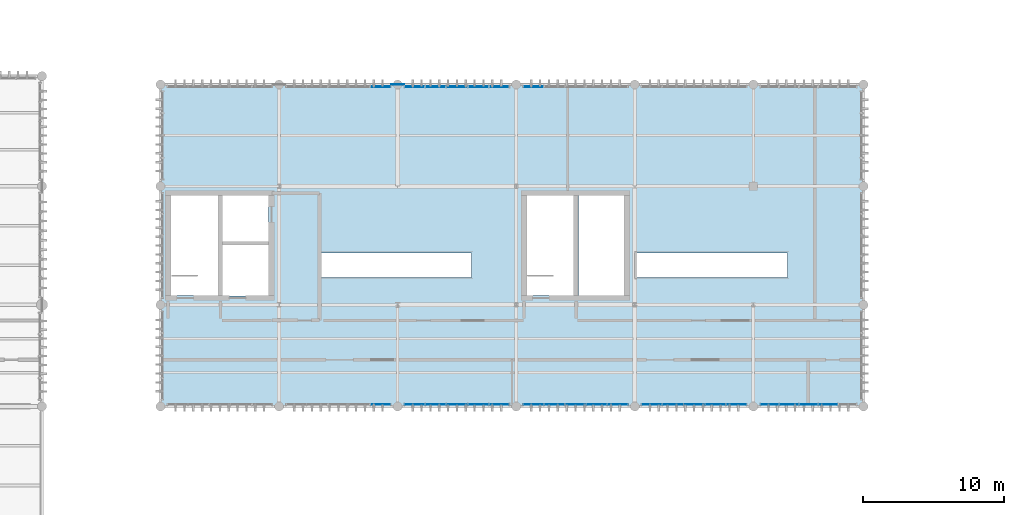
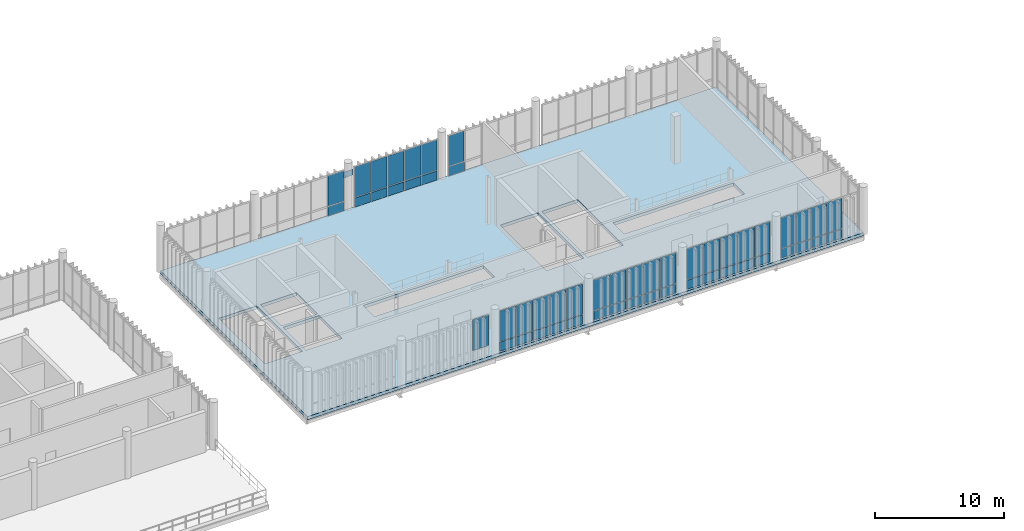
# One storey, part 52 of 66: 54 plates, 1 slab, 8 elements without a shape of their own.
"""IFC4 building model written with IfcOpenShell, lengths in metres."""

from ifc_helpers import new_model, si_unit, direction, frame, frame_2d, origin_with_axes, origin_2d_with_axis, place, context, subcontext, project, spatial, polyline, rectangle, outline, extrude, material, layer, layer_set, type_object, element, aggregate, save


model = new_model("IFC4")

# Units and contexts
model_context = context("Model", 3, precision=1e-05, world=origin_with_axes(), true_north=direction((0.0, 1.0)))
body_context = subcontext(model_context, "Body", "Model", "MODEL_VIEW")
ifc_project = project(units=[si_unit("LENGTHUNIT", "METRE"), si_unit("AREAUNIT", "SQUARE_METRE"), si_unit("VOLUMEUNIT", "CUBIC_METRE"), si_unit("PLANEANGLEUNIT", "RADIAN"), si_unit("MASSUNIT", "GRAM", prefix="KILO"), si_unit("THERMODYNAMICTEMPERATUREUNIT", "KELVIN")], contexts=[model_context])

# Site, building, storey
site_placement = place(None, origin_with_axes())
site = spatial("IfcSite", under=ifc_project, at=site_placement, CompositionType="ELEMENT")
building_placement = place(site_placement, origin_with_axes())
building = spatial("IfcBuilding", under=site, at=building_placement, Name="Montbau Bow Law Courts", CompositionType="ELEMENT")
storey_placement = place(building_placement, frame((0.0, 0.0, 34.5), z_axis=(0.0, 0.0, 1.0), x_axis=(1.0, 0.0, 0.0)))
storey = spatial("IfcBuildingStorey", under=building, at=storey_placement, Name="L07", CompositionType="ELEMENT", Elevation=34.5)

# Curtain wall, plate
ifc_material_1 = material(Name="Thermally Broken Extruded Aluminium AA 6063-T6", Category="aluminium")
curtain_wall_type = type_object("IfcCurtainWallType", Name="CW-CRM-02", PredefinedType="NOTDEFINED", material=ifc_material_1)
curtain_wall_1_placement = place(None, frame((64.04, 39.14, 34.5), z_axis=(0.0, 0.0, 1.0), x_axis=(1.0, 0.0, 0.0)))
curtain_wall_1 = element("IfcCurtainWall", 1, at=curtain_wall_1_placement, inside=storey, type_object=curtain_wall_type, Name="CW-L07-242:cw_0242", PredefinedType="NOTDEFINED")
ifc_material_2 = material(Name="Triple-Glazed Low-E Argon Insulating Glass Unit", Category="glass")
ifc_layer_1 = layer(ifc_material_2, 0.044, Name="Curtain Panel", Category="glass")
ifc_layer_set_1 = layer_set([ifc_layer_1], Name="Triple-Glazed Low-E Argon Insulating Glass Unit")
plate_type_1 = type_object("IfcPlateType", Name="PL-CWP-01", PredefinedType="CURTAIN_PANEL", material=ifc_layer_set_1)
plate_1_placement = place(None, frame((70.088, 39.14, 35.482), z_axis=(0.0, -1.0, 0.0), x_axis=(1.0, 0.0, 0.0)))
plate_1 = element("IfcPlate", 2, at=plate_1_placement, type_object=plate_type_1, Name="CW-L07-242-P05-2:cw_0242_P05_2", PredefinedType="CURTAIN_PANEL", context=body_context, shape_type="SweptSolid", body=[
    extrude(rectangle(XDim=1.41, YDim=2.876, at=frame_2d((0.705, 1.438), x_axis=(1.0, 0.0))), frame((0.0, 0.0, -0.022), z_axis=(0.0, 0.0, 1.0), x_axis=(1.0, 0.0, 0.0)), (0.0, 0.0, 1.0), 0.044),
])
aggregate(curtain_wall_1, [plate_1])

# Curtain wall, plates
curtain_wall_2_placement = place(None, frame((72.44, 39.14, 34.5), z_axis=(0.0, 0.0, 1.0), x_axis=(1.0, 0.0, 0.0)))
curtain_wall_2 = element("IfcCurtainWall", 3, at=curtain_wall_2_placement, inside=storey, type_object=curtain_wall_type, Name="CW-L07-243:cw_0243", PredefinedType="NOTDEFINED")
plate_2_placement = place(None, frame((72.516, 39.14, 35.48), z_axis=(0.0, -1.0, 0.0), x_axis=(1.0, 0.0, 0.0)))
plate_2 = element("IfcPlate", 4, at=plate_2_placement, type_object=plate_type_1, Name="CW-L07-243-P01-2:cw_0243_P01_2", PredefinedType="CURTAIN_PANEL", context=body_context, shape_type="SweptSolid", body=[
    extrude(rectangle(XDim=1.388, YDim=2.882, at=frame_2d((0.694, 1.441), x_axis=(1.0, 0.0))), frame((0.0, 0.0, -0.022), z_axis=(0.0, 0.0, 1.0), x_axis=(1.0, 0.0, 0.0)), (0.0, 0.0, 1.0), 0.044),
])
plate_3_placement = place(None, frame((73.984, 39.14, 35.48), z_axis=(0.0, -1.0, 0.0), x_axis=(1.0, 0.0, 0.0)))
plate_3 = element("IfcPlate", 5, at=plate_3_placement, type_object=plate_type_1, Name="CW-L07-243-P02-2:cw_0243_P02_2", PredefinedType="CURTAIN_PANEL", context=body_context, shape_type="SweptSolid", body=[
    extrude(rectangle(XDim=1.425, YDim=2.882, at=frame_2d((0.7125, 1.441), x_axis=(1.0, 0.0))), frame((0.0, 0.0, -0.022), z_axis=(0.0, 0.0, 1.0), x_axis=(1.0, 0.0, 0.0)), (0.0, 0.0, 1.0), 0.044),
])
plate_4_placement = place(None, frame((75.487, 39.14, 35.48), z_axis=(0.0, -1.0, 0.0), x_axis=(1.0, 0.0, 0.0)))
plate_4 = element("IfcPlate", 6, at=plate_4_placement, type_object=plate_type_1, Name="CW-L07-243-P03-2:cw_0243_P03_2", PredefinedType="CURTAIN_PANEL", context=body_context, shape_type="SweptSolid", body=[
    extrude(rectangle(XDim=1.426, YDim=2.882, at=frame_2d((0.713, 1.441), x_axis=(1.0, 0.0))), frame((0.0, 0.0, -0.022), z_axis=(0.0, 0.0, 1.0), x_axis=(1.0, 0.0, 0.0)), (0.0, 0.0, 1.0), 0.044),
])
plate_5_placement = place(None, frame((76.991, 39.14, 35.48), z_axis=(0.0, -1.0, 0.0), x_axis=(1.0, 0.0, 0.0)))
plate_5 = element("IfcPlate", 7, at=plate_5_placement, type_object=plate_type_1, Name="CW-L07-243-P04-2:cw_0243_P04_2", PredefinedType="CURTAIN_PANEL", context=body_context, shape_type="SweptSolid", body=[
    extrude(rectangle(XDim=1.426, YDim=2.882, at=frame_2d((0.713, 1.441), x_axis=(1.0, 0.0))), frame((0.0, 0.0, -0.022), z_axis=(0.0, 0.0, 1.0), x_axis=(1.0, 0.0, 0.0)), (0.0, 0.0, 1.0), 0.044),
])
plate_6_placement = place(None, frame((78.495, 39.14, 35.48), z_axis=(0.0, -1.0, 0.0), x_axis=(1.0, 0.0, 0.0)))
plate_6 = element("IfcPlate", 8, at=plate_6_placement, type_object=plate_type_1, Name="CW-L07-243-P05-2:cw_0243_P05_2", PredefinedType="CURTAIN_PANEL", context=body_context, shape_type="SweptSolid", body=[
    extrude(rectangle(XDim=1.388, YDim=2.882, at=frame_2d((0.694, 1.441), x_axis=(1.0, 0.0))), frame((0.0, 0.0, -0.022), z_axis=(0.0, 0.0, 1.0), x_axis=(1.0, 0.0, 0.0)), (0.0, 0.0, 1.0), 0.044),
])

curtain_wall_3_placement = place(None, frame((80.84, 39.14, 34.5), z_axis=(0.0, 0.0, 1.0), x_axis=(1.0, 0.0, 0.0)))
curtain_wall_3 = element("IfcCurtainWall", 9, at=curtain_wall_3_placement, inside=storey, type_object=curtain_wall_type, Name="CW-L07-244:cw_0244", PredefinedType="NOTDEFINED")
plate_7_placement = place(None, frame((80.908, 39.14, 35.482), z_axis=(0.0, -1.0, 0.0), x_axis=(1.0, 0.0, 0.0)))
plate_7 = element("IfcPlate", 10, at=plate_7_placement, type_object=plate_type_1, Name="CW-L07-244-P01-2:cw_0244_P01_2", PredefinedType="CURTAIN_PANEL", context=body_context, shape_type="SweptSolid", body=[
    extrude(rectangle(XDim=1.402, YDim=2.876, at=frame_2d((0.701, 1.438), x_axis=(1.0, 0.0))), frame((0.0, 0.0, -0.022), z_axis=(0.0, 0.0, 1.0), x_axis=(1.0, 0.0, 0.0)), (0.0, 0.0, 1.0), 0.044),
])
plate_8_placement = place(None, frame((82.378, 39.14, 35.482), z_axis=(0.0, -1.0, 0.0), x_axis=(1.0, 0.0, 0.0)))
plate_8 = element("IfcPlate", 11, at=plate_8_placement, type_object=plate_type_1, Name="CW-L07-244-P02-2:cw_0244_P02_2", PredefinedType="CURTAIN_PANEL", context=body_context, shape_type="SweptSolid", body=[
    extrude(rectangle(XDim=1.436, YDim=2.876, at=frame_2d((0.718, 1.438), x_axis=(1.0, 0.0))), frame((0.0, 0.0, -0.022), z_axis=(0.0, 0.0, 1.0), x_axis=(1.0, 0.0, 0.0)), (0.0, 0.0, 1.0), 0.044),
])
plate_9_placement = place(None, frame((83.882, 39.14, 35.482), z_axis=(0.0, -1.0, 0.0), x_axis=(1.0, 0.0, 0.0)))
plate_9 = element("IfcPlate", 12, at=plate_9_placement, type_object=plate_type_1, Name="CW-L07-244-P03-2:cw_0244_P03_2", PredefinedType="CURTAIN_PANEL", context=body_context, shape_type="SweptSolid", body=[
    extrude(rectangle(XDim=1.436, YDim=2.876, at=frame_2d((0.718, 1.438), x_axis=(1.0, 0.0))), frame((0.0, 0.0, -0.022), z_axis=(0.0, 0.0, 1.0), x_axis=(1.0, 0.0, 0.0)), (0.0, 0.0, 1.0), 0.044),
])
plate_10_placement = place(None, frame((85.386, 39.14, 35.482), z_axis=(0.0, -1.0, 0.0), x_axis=(1.0, 0.0, 0.0)))
plate_10 = element("IfcPlate", 13, at=plate_10_placement, type_object=plate_type_1, Name="CW-L07-244-P04-2:cw_0244_P04_2", PredefinedType="CURTAIN_PANEL", context=body_context, shape_type="SweptSolid", body=[
    extrude(rectangle(XDim=1.436, YDim=2.876, at=frame_2d((0.718, 1.438), x_axis=(1.0, 0.0))), frame((0.0, 0.0, -0.022), z_axis=(0.0, 0.0, 1.0), x_axis=(1.0, 0.0, 0.0)), (0.0, 0.0, 1.0), 0.044),
])
plate_11_placement = place(None, frame((86.89, 39.14, 35.482), z_axis=(0.0, -1.0, 0.0), x_axis=(1.0, 0.0, 0.0)))
plate_11 = element("IfcPlate", 14, at=plate_11_placement, type_object=plate_type_1, Name="CW-L07-244-P05-2:cw_0244_P05_2", PredefinedType="CURTAIN_PANEL", context=body_context, shape_type="SweptSolid", body=[
    extrude(rectangle(XDim=1.403, YDim=2.876, at=frame_2d((0.7015, 1.438), x_axis=(1.0, 0.0))), frame((0.0, 0.0, -0.022), z_axis=(0.0, 0.0, 1.0), x_axis=(1.0, 0.0, 0.0)), (0.0, 0.0, 1.0), 0.044),
])

curtain_wall_4_placement = place(None, frame((89.24, 39.14, 34.5), z_axis=(0.0, 0.0, 1.0), x_axis=(1.0, 0.0, 0.0)))
curtain_wall_4 = element("IfcCurtainWall", 15, at=curtain_wall_4_placement, inside=storey, type_object=curtain_wall_type, Name="CW-L07-245:cw_0245", PredefinedType="NOTDEFINED")
plate_12_placement = place(None, frame((89.302, 39.14, 35.48), z_axis=(0.0, -1.0, 0.0), x_axis=(1.0, 0.0, 0.0)))
plate_12 = element("IfcPlate", 16, at=plate_12_placement, type_object=plate_type_1, Name="CW-L07-245-P01-2:cw_0245_P01_2", PredefinedType="CURTAIN_PANEL", context=body_context, shape_type="SweptSolid", body=[
    extrude(rectangle(XDim=1.41, YDim=2.882, at=frame_2d((0.705, 1.441), x_axis=(1.0, 0.0))), frame((0.0, 0.0, -0.022), z_axis=(0.0, 0.0, 1.0), x_axis=(1.0, 0.0, 0.0)), (0.0, 0.0, 1.0), 0.044),
])
plate_13_placement = place(None, frame((90.776, 39.14, 35.48), z_axis=(0.0, -1.0, 0.0), x_axis=(1.0, 0.0, 0.0)))
plate_13 = element("IfcPlate", 17, at=plate_13_placement, type_object=plate_type_1, Name="CW-L07-245-P02-2:cw_0245_P02_2", PredefinedType="CURTAIN_PANEL", context=body_context, shape_type="SweptSolid", body=[
    extrude(rectangle(XDim=1.44, YDim=2.882, at=frame_2d((0.72, 1.441), x_axis=(1.0, 0.0))), frame((0.0, 0.0, -0.022), z_axis=(0.0, 0.0, 1.0), x_axis=(1.0, 0.0, 0.0)), (0.0, 0.0, 1.0), 0.044),
])
plate_14_placement = place(None, frame((92.28, 39.14, 35.48), z_axis=(0.0, -1.0, 0.0), x_axis=(1.0, 0.0, 0.0)))
plate_14 = element("IfcPlate", 18, at=plate_14_placement, type_object=plate_type_1, Name="CW-L07-245-P03-2:cw_0245_P03_2", PredefinedType="CURTAIN_PANEL", context=body_context, shape_type="SweptSolid", body=[
    extrude(rectangle(XDim=1.44, YDim=2.882, at=frame_2d((0.72, 1.441), x_axis=(1.0, 0.0))), frame((0.0, 0.0, -0.022), z_axis=(0.0, 0.0, 1.0), x_axis=(1.0, 0.0, 0.0)), (0.0, 0.0, 1.0), 0.044),
])
plate_15_placement = place(None, frame((93.784, 39.14, 35.48), z_axis=(0.0, -1.0, 0.0), x_axis=(1.0, 0.0, 0.0)))
plate_15 = element("IfcPlate", 19, at=plate_15_placement, type_object=plate_type_1, Name="CW-L07-245-P04-2:cw_0245_P04_2", PredefinedType="CURTAIN_PANEL", context=body_context, shape_type="SweptSolid", body=[
    extrude(rectangle(XDim=1.44, YDim=2.882, at=frame_2d((0.72, 1.441), x_axis=(1.0, 0.0))), frame((0.0, 0.0, -0.022), z_axis=(0.0, 0.0, 1.0), x_axis=(1.0, 0.0, 0.0)), (0.0, 0.0, 1.0), 0.044),
])
plate_16_placement = place(None, frame((95.288, 39.14, 35.48), z_axis=(0.0, -1.0, 0.0), x_axis=(1.0, 0.0, 0.0)))
plate_16 = element("IfcPlate", 20, at=plate_16_placement, type_object=plate_type_1, Name="CW-L07-245-P05-2:cw_0245_P05_2", PredefinedType="CURTAIN_PANEL", context=body_context, shape_type="SweptSolid", body=[
    extrude(rectangle(XDim=1.41, YDim=2.882, at=frame_2d((0.705, 1.441), x_axis=(1.0, 0.0))), frame((0.0, 0.0, -0.022), z_axis=(0.0, 0.0, 1.0), x_axis=(1.0, 0.0, 0.0)), (0.0, 0.0, 1.0), 0.044),
])

curtain_wall_5_placement = place(None, frame((97.64, 39.14, 34.5), z_axis=(0.0, 0.0, 1.0), x_axis=(1.0, 0.0, 0.0)))
curtain_wall_5 = element("IfcCurtainWall", 21, at=curtain_wall_5_placement, inside=storey, type_object=curtain_wall_type, Name="CW-L07-246:cw_0246", PredefinedType="NOTDEFINED")
plate_17_placement = place(None, frame((97.716, 39.14, 35.482), z_axis=(0.0, -1.0, 0.0), x_axis=(1.0, 0.0, 0.0)))
plate_17 = element("IfcPlate", 22, at=plate_17_placement, type_object=plate_type_1, Name="CW-L07-246-P01-2:cw_0246_P01_2", PredefinedType="CURTAIN_PANEL", context=body_context, shape_type="SweptSolid", body=[
    extrude(rectangle(XDim=1.268, YDim=2.876, at=frame_2d((0.634, 1.438), x_axis=(1.0, 0.0))), frame((0.0, 0.0, -0.022), z_axis=(0.0, 0.0, 1.0), x_axis=(1.0, 0.0, 0.0)), (0.0, 0.0, 1.0), 0.044),
])
plate_18_placement = place(None, frame((99.063, 39.14, 35.482), z_axis=(0.0, -1.0, 0.0), x_axis=(1.0, 0.0, 0.0)))
plate_18 = element("IfcPlate", 23, at=plate_18_placement, type_object=plate_type_1, Name="CW-L07-246-P02-2:cw_0246_P02_2", PredefinedType="CURTAIN_PANEL", context=body_context, shape_type="SweptSolid", body=[
    extrude(rectangle(XDim=1.305, YDim=2.876, at=frame_2d((0.6525, 1.438), x_axis=(1.0, 0.0))), frame((0.0, 0.0, -0.022), z_axis=(0.0, 0.0, 1.0), x_axis=(1.0, 0.0, 0.0)), (0.0, 0.0, 1.0), 0.044),
])
plate_19_placement = place(None, frame((100.447, 39.14, 35.482), z_axis=(0.0, -1.0, 0.0), x_axis=(1.0, 0.0, 0.0)))
plate_19 = element("IfcPlate", 24, at=plate_19_placement, type_object=plate_type_1, Name="CW-L07-246-P03-2:cw_0246_P03_2", PredefinedType="CURTAIN_PANEL", context=body_context, shape_type="SweptSolid", body=[
    extrude(rectangle(XDim=1.306, YDim=2.876, at=frame_2d((0.653, 1.438), x_axis=(1.0, 0.0))), frame((0.0, 0.0, -0.022), z_axis=(0.0, 0.0, 1.0), x_axis=(1.0, 0.0, 0.0)), (0.0, 0.0, 1.0), 0.044),
])
plate_20_placement = place(None, frame((101.831, 39.14, 35.482), z_axis=(0.0, -1.0, 0.0), x_axis=(1.0, 0.0, 0.0)))
plate_20 = element("IfcPlate", 25, at=plate_20_placement, type_object=plate_type_1, Name="CW-L07-246-P04-2:cw_0246_P04_2", PredefinedType="CURTAIN_PANEL", context=body_context, shape_type="SweptSolid", body=[
    extrude(rectangle(XDim=1.306, YDim=2.876, at=frame_2d((0.653, 1.438), x_axis=(1.0, 0.0))), frame((0.0, 0.0, -0.022), z_axis=(0.0, 0.0, 1.0), x_axis=(1.0, 0.0, 0.0)), (0.0, 0.0, 1.0), 0.044),
])

# Curtain wall, plate
curtain_wall_6_placement = place(None, frame((64.04, 61.66, 34.5), z_axis=(0.0, 0.0, 1.0), x_axis=(1.0, 0.0, 0.0)))
curtain_wall_6 = element("IfcCurtainWall", 26, at=curtain_wall_6_placement, inside=storey, type_object=curtain_wall_type, Name="CW-L07-248:cw_0248", PredefinedType="NOTDEFINED")
plate_21_placement = place(None, frame((70.088, 61.66, 35.482), z_axis=(0.0, -1.0, 0.0), x_axis=(1.0, 0.0, 0.0)))
plate_21 = element("IfcPlate", 27, at=plate_21_placement, type_object=plate_type_1, Name="CW-L07-248-P05-2:cw_0248_P05_2", PredefinedType="CURTAIN_PANEL", context=body_context, shape_type="SweptSolid", body=[
    extrude(rectangle(XDim=1.41, YDim=2.876, at=frame_2d((0.705, 1.438), x_axis=(1.0, 0.0))), frame((0.0, 0.0, -0.022), z_axis=(0.0, 0.0, 1.0), x_axis=(1.0, 0.0, 0.0)), (0.0, 0.0, 1.0), 0.044),
])

# Curtain wall, plates
curtain_wall_7_placement = place(None, frame((72.44, 61.66, 34.5), z_axis=(0.0, 0.0, 1.0), x_axis=(1.0, 0.0, 0.0)))
curtain_wall_7 = element("IfcCurtainWall", 28, at=curtain_wall_7_placement, inside=storey, type_object=curtain_wall_type, Name="CW-L07-249:cw_0249", PredefinedType="NOTDEFINED")
plate_22_placement = place(None, frame((72.516, 61.66, 35.48), z_axis=(0.0, -1.0, 0.0), x_axis=(1.0, 0.0, 0.0)))
plate_22 = element("IfcPlate", 29, at=plate_22_placement, type_object=plate_type_1, Name="CW-L07-249-P01-2:cw_0249_P01_2", PredefinedType="CURTAIN_PANEL", context=body_context, shape_type="SweptSolid", body=[
    extrude(rectangle(XDim=1.388, YDim=2.882, at=frame_2d((0.694, 1.441), x_axis=(1.0, 0.0))), frame((0.0, 0.0, -0.022), z_axis=(0.0, 0.0, 1.0), x_axis=(1.0, 0.0, 0.0)), (0.0, 0.0, 1.0), 0.044),
])
plate_23_placement = place(None, frame((73.984, 61.66, 35.48), z_axis=(0.0, -1.0, 0.0), x_axis=(1.0, 0.0, 0.0)))
plate_23 = element("IfcPlate", 30, at=plate_23_placement, type_object=plate_type_1, Name="CW-L07-249-P02-2:cw_0249_P02_2", PredefinedType="CURTAIN_PANEL", context=body_context, shape_type="SweptSolid", body=[
    extrude(rectangle(XDim=1.425, YDim=2.882, at=frame_2d((0.7125, 1.441), x_axis=(1.0, 0.0))), frame((0.0, 0.0, -0.022), z_axis=(0.0, 0.0, 1.0), x_axis=(1.0, 0.0, 0.0)), (0.0, 0.0, 1.0), 0.044),
])
plate_24_placement = place(None, frame((75.487, 61.66, 35.48), z_axis=(0.0, -1.0, 0.0), x_axis=(1.0, 0.0, 0.0)))
plate_24 = element("IfcPlate", 31, at=plate_24_placement, type_object=plate_type_1, Name="CW-L07-249-P03-2:cw_0249_P03_2", PredefinedType="CURTAIN_PANEL", context=body_context, shape_type="SweptSolid", body=[
    extrude(rectangle(XDim=1.426, YDim=2.882, at=frame_2d((0.713, 1.441), x_axis=(1.0, 0.0))), frame((0.0, 0.0, -0.022), z_axis=(0.0, 0.0, 1.0), x_axis=(1.0, 0.0, 0.0)), (0.0, 0.0, 1.0), 0.044),
])
plate_25_placement = place(None, frame((76.991, 61.66, 35.48), z_axis=(0.0, -1.0, 0.0), x_axis=(1.0, 0.0, 0.0)))
plate_25 = element("IfcPlate", 32, at=plate_25_placement, type_object=plate_type_1, Name="CW-L07-249-P04-2:cw_0249_P04_2", PredefinedType="CURTAIN_PANEL", context=body_context, shape_type="SweptSolid", body=[
    extrude(rectangle(XDim=1.426, YDim=2.882, at=frame_2d((0.713, 1.441), x_axis=(1.0, 0.0))), frame((0.0, 0.0, -0.022), z_axis=(0.0, 0.0, 1.0), x_axis=(1.0, 0.0, 0.0)), (0.0, 0.0, 1.0), 0.044),
])
plate_26_placement = place(None, frame((78.495, 61.66, 35.48), z_axis=(0.0, -1.0, 0.0), x_axis=(1.0, 0.0, 0.0)))
plate_26 = element("IfcPlate", 33, at=plate_26_placement, type_object=plate_type_1, Name="CW-L07-249-P05-2:cw_0249_P05_2", PredefinedType="CURTAIN_PANEL", context=body_context, shape_type="SweptSolid", body=[
    extrude(rectangle(XDim=1.388, YDim=2.882, at=frame_2d((0.694, 1.441), x_axis=(1.0, 0.0))), frame((0.0, 0.0, -0.022), z_axis=(0.0, 0.0, 1.0), x_axis=(1.0, 0.0, 0.0)), (0.0, 0.0, 1.0), 0.044),
])

# Curtain wall, plate
curtain_wall_8_placement = place(None, frame((80.84, 61.66, 34.5), z_axis=(0.0, 0.0, 1.0), x_axis=(1.0, 0.0, 0.0)))
curtain_wall_8 = element("IfcCurtainWall", 34, at=curtain_wall_8_placement, inside=storey, type_object=curtain_wall_type, Name="CW-L07-250:cw_0250", PredefinedType="NOTDEFINED")
plate_27_placement = place(None, frame((80.908, 61.66, 35.482), z_axis=(0.0, -1.0, 0.0), x_axis=(1.0, 0.0, 0.0)))
plate_27 = element("IfcPlate", 35, at=plate_27_placement, type_object=plate_type_1, Name="CW-L07-250-P01-2:cw_0250_P01_2", PredefinedType="CURTAIN_PANEL", context=body_context, shape_type="SweptSolid", body=[
    extrude(rectangle(XDim=1.402, YDim=2.876, at=frame_2d((0.701, 1.438), x_axis=(1.0, 0.0))), frame((0.0, 0.0, -0.022), z_axis=(0.0, 0.0, 1.0), x_axis=(1.0, 0.0, 0.0)), (0.0, 0.0, 1.0), 0.044),
])

# Plate
ifc_material_3 = material(Name="Insulated Ceramic-Frit Spandrel Glazing Unit", Category="glass")
ifc_layer_2 = layer(ifc_material_3, 0.056, Name="Curtain Panel", Category="glass")
ifc_layer_set_2 = layer_set([ifc_layer_2], Name="Insulated Ceramic-Frit Spandrel Glazing Unit")
plate_type_2 = type_object("IfcPlateType", Name="PL-CWP-02", PredefinedType="CURTAIN_PANEL", material=ifc_layer_set_2)
plate_28_placement = place(None, frame((72.516, 39.14, 34.558), z_axis=(0.0, -1.0, 0.0), x_axis=(1.0, 0.0, 0.0)))
plate_28 = element("IfcPlate", 36, at=plate_28_placement, type_object=plate_type_2, Name="CW-L07-243-P01-1:cw_0243_P01_1", PredefinedType="CURTAIN_PANEL", context=body_context, shape_type="SweptSolid", body=[
    extrude(rectangle(XDim=1.388, YDim=0.862, at=frame_2d((0.694, 0.431), x_axis=(1.0, 0.0))), frame((0.0, 0.0, -0.028), z_axis=(0.0, 0.0, 1.0), x_axis=(1.0, 0.0, 0.0)), (0.0, 0.0, 1.0), 0.056),
])

plate_29_placement = place(None, frame((73.984, 39.14, 34.558), z_axis=(0.0, -1.0, 0.0), x_axis=(1.0, 0.0, 0.0)))
plate_29 = element("IfcPlate", 37, at=plate_29_placement, type_object=plate_type_2, Name="CW-L07-243-P02-1:cw_0243_P02_1", PredefinedType="CURTAIN_PANEL", context=body_context, shape_type="SweptSolid", body=[
    extrude(rectangle(XDim=1.425, YDim=0.862, at=frame_2d((0.7125, 0.431), x_axis=(1.0, 0.0))), frame((0.0, 0.0, -0.028), z_axis=(0.0, 0.0, 1.0), x_axis=(1.0, 0.0, 0.0)), (0.0, 0.0, 1.0), 0.056),
])

plate_30_placement = place(None, frame((75.487, 39.14, 34.558), z_axis=(0.0, -1.0, 0.0), x_axis=(1.0, 0.0, 0.0)))
plate_30 = element("IfcPlate", 38, at=plate_30_placement, type_object=plate_type_2, Name="CW-L07-243-P03-1:cw_0243_P03_1", PredefinedType="CURTAIN_PANEL", context=body_context, shape_type="SweptSolid", body=[
    extrude(rectangle(XDim=1.426, YDim=0.862, at=frame_2d((0.713, 0.431), x_axis=(1.0, 0.0))), frame((0.0, 0.0, -0.028), z_axis=(0.0, 0.0, 1.0), x_axis=(1.0, 0.0, 0.0)), (0.0, 0.0, 1.0), 0.056),
])

plate_31_placement = place(None, frame((76.991, 39.14, 34.558), z_axis=(0.0, -1.0, 0.0), x_axis=(1.0, 0.0, 0.0)))
plate_31 = element("IfcPlate", 39, at=plate_31_placement, type_object=plate_type_2, Name="CW-L07-243-P04-1:cw_0243_P04_1", PredefinedType="CURTAIN_PANEL", context=body_context, shape_type="SweptSolid", body=[
    extrude(rectangle(XDim=1.426, YDim=0.862, at=frame_2d((0.713, 0.431), x_axis=(1.0, 0.0))), frame((0.0, 0.0, -0.028), z_axis=(0.0, 0.0, 1.0), x_axis=(1.0, 0.0, 0.0)), (0.0, 0.0, 1.0), 0.056),
])

plate_32_placement = place(None, frame((78.495, 39.14, 34.558), z_axis=(0.0, -1.0, 0.0), x_axis=(1.0, 0.0, 0.0)))
plate_32 = element("IfcPlate", 40, at=plate_32_placement, type_object=plate_type_2, Name="CW-L07-243-P05-1:cw_0243_P05_1", PredefinedType="CURTAIN_PANEL", context=body_context, shape_type="SweptSolid", body=[
    extrude(rectangle(XDim=1.388, YDim=0.862, at=frame_2d((0.694, 0.431), x_axis=(1.0, 0.0))), frame((0.0, 0.0, -0.028), z_axis=(0.0, 0.0, 1.0), x_axis=(1.0, 0.0, 0.0)), (0.0, 0.0, 1.0), 0.056),
])

aggregate(curtain_wall_2, [plate_28, plate_2, plate_29, plate_3, plate_30, plate_4, plate_31, plate_5, plate_32, plate_6])

plate_33_placement = place(None, frame((80.908, 39.14, 34.562), z_axis=(0.0, -1.0, 0.0), x_axis=(1.0, 0.0, 0.0)))
plate_33 = element("IfcPlate", 41, at=plate_33_placement, type_object=plate_type_2, Name="CW-L07-244-P01-1:cw_0244_P01_1", PredefinedType="CURTAIN_PANEL", context=body_context, shape_type="SweptSolid", body=[
    extrude(rectangle(XDim=1.402, YDim=0.856, at=frame_2d((0.701, 0.428), x_axis=(1.0, 0.0))), frame((0.0, 0.0, -0.028), z_axis=(0.0, 0.0, 1.0), x_axis=(1.0, 0.0, 0.0)), (0.0, 0.0, 1.0), 0.056),
])

plate_34_placement = place(None, frame((82.378, 39.14, 34.562), z_axis=(0.0, -1.0, 0.0), x_axis=(1.0, 0.0, 0.0)))
plate_34 = element("IfcPlate", 42, at=plate_34_placement, type_object=plate_type_2, Name="CW-L07-244-P02-1:cw_0244_P02_1", PredefinedType="CURTAIN_PANEL", context=body_context, shape_type="SweptSolid", body=[
    extrude(rectangle(XDim=1.436, YDim=0.856, at=frame_2d((0.718, 0.428), x_axis=(1.0, 0.0))), frame((0.0, 0.0, -0.028), z_axis=(0.0, 0.0, 1.0), x_axis=(1.0, 0.0, 0.0)), (0.0, 0.0, 1.0), 0.056),
])

plate_35_placement = place(None, frame((83.882, 39.14, 34.562), z_axis=(0.0, -1.0, 0.0), x_axis=(1.0, 0.0, 0.0)))
plate_35 = element("IfcPlate", 43, at=plate_35_placement, type_object=plate_type_2, Name="CW-L07-244-P03-1:cw_0244_P03_1", PredefinedType="CURTAIN_PANEL", context=body_context, shape_type="SweptSolid", body=[
    extrude(rectangle(XDim=1.436, YDim=0.856, at=frame_2d((0.718, 0.428), x_axis=(1.0, 0.0))), frame((0.0, 0.0, -0.028), z_axis=(0.0, 0.0, 1.0), x_axis=(1.0, 0.0, 0.0)), (0.0, 0.0, 1.0), 0.056),
])

plate_36_placement = place(None, frame((85.386, 39.14, 34.562), z_axis=(0.0, -1.0, 0.0), x_axis=(1.0, 0.0, 0.0)))
plate_36 = element("IfcPlate", 44, at=plate_36_placement, type_object=plate_type_2, Name="CW-L07-244-P04-1:cw_0244_P04_1", PredefinedType="CURTAIN_PANEL", context=body_context, shape_type="SweptSolid", body=[
    extrude(rectangle(XDim=1.436, YDim=0.856, at=frame_2d((0.718, 0.428), x_axis=(1.0, 0.0))), frame((0.0, 0.0, -0.028), z_axis=(0.0, 0.0, 1.0), x_axis=(1.0, 0.0, 0.0)), (0.0, 0.0, 1.0), 0.056),
])

plate_37_placement = place(None, frame((86.89, 39.14, 34.562), z_axis=(0.0, -1.0, 0.0), x_axis=(1.0, 0.0, 0.0)))
plate_37 = element("IfcPlate", 45, at=plate_37_placement, type_object=plate_type_2, Name="CW-L07-244-P05-1:cw_0244_P05_1", PredefinedType="CURTAIN_PANEL", context=body_context, shape_type="SweptSolid", body=[
    extrude(rectangle(XDim=1.403, YDim=0.856, at=frame_2d((0.7015, 0.428), x_axis=(1.0, 0.0))), frame((0.0, 0.0, -0.028), z_axis=(0.0, 0.0, 1.0), x_axis=(1.0, 0.0, 0.0)), (0.0, 0.0, 1.0), 0.056),
])

aggregate(curtain_wall_3, [plate_33, plate_7, plate_34, plate_8, plate_35, plate_9, plate_36, plate_10, plate_37, plate_11])

plate_38_placement = place(None, frame((89.302, 39.14, 34.558), z_axis=(0.0, -1.0, 0.0), x_axis=(1.0, 0.0, 0.0)))
plate_38 = element("IfcPlate", 46, at=plate_38_placement, type_object=plate_type_2, Name="CW-L07-245-P01-1:cw_0245_P01_1", PredefinedType="CURTAIN_PANEL", context=body_context, shape_type="SweptSolid", body=[
    extrude(rectangle(XDim=1.41, YDim=0.862, at=frame_2d((0.705, 0.431), x_axis=(1.0, 0.0))), frame((0.0, 0.0, -0.028), z_axis=(0.0, 0.0, 1.0), x_axis=(1.0, 0.0, 0.0)), (0.0, 0.0, 1.0), 0.056),
])

plate_39_placement = place(None, frame((90.776, 39.14, 34.558), z_axis=(0.0, -1.0, 0.0), x_axis=(1.0, 0.0, 0.0)))
plate_39 = element("IfcPlate", 47, at=plate_39_placement, type_object=plate_type_2, Name="CW-L07-245-P02-1:cw_0245_P02_1", PredefinedType="CURTAIN_PANEL", context=body_context, shape_type="SweptSolid", body=[
    extrude(rectangle(XDim=1.44, YDim=0.862, at=frame_2d((0.72, 0.431), x_axis=(1.0, 0.0))), frame((0.0, 0.0, -0.028), z_axis=(0.0, 0.0, 1.0), x_axis=(1.0, 0.0, 0.0)), (0.0, 0.0, 1.0), 0.056),
])

plate_40_placement = place(None, frame((92.28, 39.14, 34.558), z_axis=(0.0, -1.0, 0.0), x_axis=(1.0, 0.0, 0.0)))
plate_40 = element("IfcPlate", 48, at=plate_40_placement, type_object=plate_type_2, Name="CW-L07-245-P03-1:cw_0245_P03_1", PredefinedType="CURTAIN_PANEL", context=body_context, shape_type="SweptSolid", body=[
    extrude(rectangle(XDim=1.44, YDim=0.862, at=frame_2d((0.72, 0.431), x_axis=(1.0, 0.0))), frame((0.0, 0.0, -0.028), z_axis=(0.0, 0.0, 1.0), x_axis=(1.0, 0.0, 0.0)), (0.0, 0.0, 1.0), 0.056),
])

plate_41_placement = place(None, frame((93.784, 39.14, 34.558), z_axis=(0.0, -1.0, 0.0), x_axis=(1.0, 0.0, 0.0)))
plate_41 = element("IfcPlate", 49, at=plate_41_placement, type_object=plate_type_2, Name="CW-L07-245-P04-1:cw_0245_P04_1", PredefinedType="CURTAIN_PANEL", context=body_context, shape_type="SweptSolid", body=[
    extrude(rectangle(XDim=1.44, YDim=0.862, at=frame_2d((0.72, 0.431), x_axis=(1.0, 0.0))), frame((0.0, 0.0, -0.028), z_axis=(0.0, 0.0, 1.0), x_axis=(1.0, 0.0, 0.0)), (0.0, 0.0, 1.0), 0.056),
])

plate_42_placement = place(None, frame((95.288, 39.14, 34.558), z_axis=(0.0, -1.0, 0.0), x_axis=(1.0, 0.0, 0.0)))
plate_42 = element("IfcPlate", 50, at=plate_42_placement, type_object=plate_type_2, Name="CW-L07-245-P05-1:cw_0245_P05_1", PredefinedType="CURTAIN_PANEL", context=body_context, shape_type="SweptSolid", body=[
    extrude(rectangle(XDim=1.41, YDim=0.862, at=frame_2d((0.705, 0.431), x_axis=(1.0, 0.0))), frame((0.0, 0.0, -0.028), z_axis=(0.0, 0.0, 1.0), x_axis=(1.0, 0.0, 0.0)), (0.0, 0.0, 1.0), 0.056),
])

aggregate(curtain_wall_4, [plate_38, plate_12, plate_39, plate_13, plate_40, plate_14, plate_41, plate_15, plate_42, plate_16])

plate_43_placement = place(None, frame((97.716, 39.14, 34.562), z_axis=(0.0, -1.0, 0.0), x_axis=(1.0, 0.0, 0.0)))
plate_43 = element("IfcPlate", 51, at=plate_43_placement, type_object=plate_type_2, Name="CW-L07-246-P01-1:cw_0246_P01_1", PredefinedType="CURTAIN_PANEL", context=body_context, shape_type="SweptSolid", body=[
    extrude(rectangle(XDim=1.268, YDim=0.856, at=frame_2d((0.634, 0.428), x_axis=(1.0, 0.0))), frame((0.0, 0.0, -0.028), z_axis=(0.0, 0.0, 1.0), x_axis=(1.0, 0.0, 0.0)), (0.0, 0.0, 1.0), 0.056),
])

plate_44_placement = place(None, frame((99.063, 39.14, 34.562), z_axis=(0.0, -1.0, 0.0), x_axis=(1.0, 0.0, 0.0)))
plate_44 = element("IfcPlate", 52, at=plate_44_placement, type_object=plate_type_2, Name="CW-L07-246-P02-1:cw_0246_P02_1", PredefinedType="CURTAIN_PANEL", context=body_context, shape_type="SweptSolid", body=[
    extrude(rectangle(XDim=1.305, YDim=0.856, at=frame_2d((0.6525, 0.428), x_axis=(1.0, 0.0))), frame((0.0, 0.0, -0.028), z_axis=(0.0, 0.0, 1.0), x_axis=(1.0, 0.0, 0.0)), (0.0, 0.0, 1.0), 0.056),
])

plate_45_placement = place(None, frame((100.447, 39.14, 34.562), z_axis=(0.0, -1.0, 0.0), x_axis=(1.0, 0.0, 0.0)))
plate_45 = element("IfcPlate", 53, at=plate_45_placement, type_object=plate_type_2, Name="CW-L07-246-P03-1:cw_0246_P03_1", PredefinedType="CURTAIN_PANEL", context=body_context, shape_type="SweptSolid", body=[
    extrude(rectangle(XDim=1.306, YDim=0.856, at=frame_2d((0.653, 0.428), x_axis=(1.0, 0.0))), frame((0.0, 0.0, -0.028), z_axis=(0.0, 0.0, 1.0), x_axis=(1.0, 0.0, 0.0)), (0.0, 0.0, 1.0), 0.056),
])

plate_46_placement = place(None, frame((101.831, 39.14, 34.562), z_axis=(0.0, -1.0, 0.0), x_axis=(1.0, 0.0, 0.0)))
plate_46 = element("IfcPlate", 54, at=plate_46_placement, type_object=plate_type_2, Name="CW-L07-246-P04-1:cw_0246_P04_1", PredefinedType="CURTAIN_PANEL", context=body_context, shape_type="SweptSolid", body=[
    extrude(rectangle(XDim=1.306, YDim=0.856, at=frame_2d((0.653, 0.428), x_axis=(1.0, 0.0))), frame((0.0, 0.0, -0.028), z_axis=(0.0, 0.0, 1.0), x_axis=(1.0, 0.0, 0.0)), (0.0, 0.0, 1.0), 0.056),
])

aggregate(curtain_wall_5, [plate_43, plate_17, plate_44, plate_18, plate_45, plate_19, plate_46, plate_20])

plate_47_placement = place(None, frame((70.088, 61.66, 34.562), z_axis=(0.0, -1.0, 0.0), x_axis=(1.0, 0.0, 0.0)))
plate_47 = element("IfcPlate", 55, at=plate_47_placement, type_object=plate_type_2, Name="CW-L07-248-P05-1:cw_0248_P05_1", PredefinedType="CURTAIN_PANEL", context=body_context, shape_type="SweptSolid", body=[
    extrude(rectangle(XDim=1.41, YDim=0.856, at=frame_2d((0.705, 0.428), x_axis=(1.0, 0.0))), frame((0.0, 0.0, -0.028), z_axis=(0.0, 0.0, 1.0), x_axis=(1.0, 0.0, 0.0)), (0.0, 0.0, 1.0), 0.056),
])

aggregate(curtain_wall_6, [plate_47, plate_21])

plate_48_placement = place(None, frame((72.516, 61.66, 34.558), z_axis=(0.0, -1.0, 0.0), x_axis=(1.0, 0.0, 0.0)))
plate_48 = element("IfcPlate", 56, at=plate_48_placement, type_object=plate_type_2, Name="CW-L07-249-P01-1:cw_0249_P01_1", PredefinedType="CURTAIN_PANEL", context=body_context, shape_type="SweptSolid", body=[
    extrude(rectangle(XDim=1.388, YDim=0.862, at=frame_2d((0.694, 0.431), x_axis=(1.0, 0.0))), frame((0.0, 0.0, -0.028), z_axis=(0.0, 0.0, 1.0), x_axis=(1.0, 0.0, 0.0)), (0.0, 0.0, 1.0), 0.056),
])

plate_49_placement = place(None, frame((73.984, 61.66, 34.558), z_axis=(0.0, -1.0, 0.0), x_axis=(1.0, 0.0, 0.0)))
plate_49 = element("IfcPlate", 57, at=plate_49_placement, type_object=plate_type_2, Name="CW-L07-249-P02-1:cw_0249_P02_1", PredefinedType="CURTAIN_PANEL", context=body_context, shape_type="SweptSolid", body=[
    extrude(rectangle(XDim=1.425, YDim=0.862, at=frame_2d((0.7125, 0.431), x_axis=(1.0, 0.0))), frame((0.0, 0.0, -0.028), z_axis=(0.0, 0.0, 1.0), x_axis=(1.0, 0.0, 0.0)), (0.0, 0.0, 1.0), 0.056),
])

plate_50_placement = place(None, frame((75.487, 61.66, 34.558), z_axis=(0.0, -1.0, 0.0), x_axis=(1.0, 0.0, 0.0)))
plate_50 = element("IfcPlate", 58, at=plate_50_placement, type_object=plate_type_2, Name="CW-L07-249-P03-1:cw_0249_P03_1", PredefinedType="CURTAIN_PANEL", context=body_context, shape_type="SweptSolid", body=[
    extrude(rectangle(XDim=1.426, YDim=0.862, at=frame_2d((0.713, 0.431), x_axis=(1.0, 0.0))), frame((0.0, 0.0, -0.028), z_axis=(0.0, 0.0, 1.0), x_axis=(1.0, 0.0, 0.0)), (0.0, 0.0, 1.0), 0.056),
])

plate_51_placement = place(None, frame((76.991, 61.66, 34.558), z_axis=(0.0, -1.0, 0.0), x_axis=(1.0, 0.0, 0.0)))
plate_51 = element("IfcPlate", 59, at=plate_51_placement, type_object=plate_type_2, Name="CW-L07-249-P04-1:cw_0249_P04_1", PredefinedType="CURTAIN_PANEL", context=body_context, shape_type="SweptSolid", body=[
    extrude(rectangle(XDim=1.426, YDim=0.862, at=frame_2d((0.713, 0.431), x_axis=(1.0, 0.0))), frame((0.0, 0.0, -0.028), z_axis=(0.0, 0.0, 1.0), x_axis=(1.0, 0.0, 0.0)), (0.0, 0.0, 1.0), 0.056),
])

plate_52_placement = place(None, frame((78.495, 61.66, 34.558), z_axis=(0.0, -1.0, 0.0), x_axis=(1.0, 0.0, 0.0)))
plate_52 = element("IfcPlate", 60, at=plate_52_placement, type_object=plate_type_2, Name="CW-L07-249-P05-1:cw_0249_P05_1", PredefinedType="CURTAIN_PANEL", context=body_context, shape_type="SweptSolid", body=[
    extrude(rectangle(XDim=1.388, YDim=0.862, at=frame_2d((0.694, 0.431), x_axis=(1.0, 0.0))), frame((0.0, 0.0, -0.028), z_axis=(0.0, 0.0, 1.0), x_axis=(1.0, 0.0, 0.0)), (0.0, 0.0, 1.0), 0.056),
])

aggregate(curtain_wall_7, [plate_48, plate_22, plate_49, plate_23, plate_50, plate_24, plate_51, plate_25, plate_52, plate_26])

plate_53_placement = place(None, frame((80.908, 61.66, 34.562), z_axis=(0.0, -1.0, 0.0), x_axis=(1.0, 0.0, 0.0)))
plate_53 = element("IfcPlate", 61, at=plate_53_placement, type_object=plate_type_2, Name="CW-L07-250-P01-1:cw_0250_P01_1", PredefinedType="CURTAIN_PANEL", context=body_context, shape_type="SweptSolid", body=[
    extrude(rectangle(XDim=1.402, YDim=0.856, at=frame_2d((0.701, 0.428), x_axis=(1.0, 0.0))), frame((0.0, 0.0, -0.028), z_axis=(0.0, 0.0, 1.0), x_axis=(1.0, 0.0, 0.0)), (0.0, 0.0, 1.0), 0.056),
])

aggregate(curtain_wall_8, [plate_53, plate_27])

ifc_material_4 = material(Name="Steel CSA G40.21 Grade 350WT (350 MPa)", Category="steel")
ifc_layer_3 = layer(ifc_material_4, 0.032, Name="Gusset Plate", Category="steel")
ifc_layer_set_3 = layer_set([ifc_layer_3], Name="Steel CSA G40.21 Grade 350WT (350 MPa)")
plate_type_3 = type_object("IfcPlateType", Name="PL-GUS-01", PredefinedType="USERDEFINED", material=ifc_layer_set_3)
plate_54_placement = place(None, frame((72.0, 61.8, 37.53), z_axis=(0.0, 0.0, 1.0), x_axis=(1.0, 0.0, 0.0)))
element("IfcPlate", 62, at=plate_54_placement, inside=storey, type_object=plate_type_3, Name="BGP-L07-137:plt_0168", ObjectType="GUSSET_PLATE", PredefinedType="USERDEFINED", context=body_context, shape_type="SweptSolid", body=[
    extrude(rectangle(XDim=0.9, YDim=0.032, at=origin_2d_with_axis()), origin_with_axes(), (0.0, 0.0, 1.0), 0.56),
])

# Slab
ifc_material_5 = material(Name="Concrete CSA A23.1 f'c 40 MPa", Category="concrete")
ifc_layer_4 = layer(ifc_material_5, 0.3, Name="Floor Slab", Category="concrete")
ifc_layer_set_4 = layer_set([ifc_layer_4], Name="Concrete CSA A23.1 f'c 40 MPa")
slab_type = type_object("IfcSlabType", Name="SL-FLR-06", PredefinedType="FLOOR", material=ifc_layer_set_4)
slab_placement = place(None, frame((0.0, 0.0, 34.2), z_axis=(0.0, 0.0, 1.0), x_axis=(1.0, 0.0, 0.0)))
element("IfcSlab", 63, at=slab_placement, inside=storey, type_object=slab_type, Name="SL-V3-L07:slb_0022", PredefinedType="FLOOR", context=body_context, shape_type="SweptSolid", body=[
    extrude(outline(polyline([(55.2, 39.0), (105.0, 39.0), (105.0, 61.8), (55.2, 61.8), (55.2, 39.0)]), holes=[polyline([(55.92, 46.858), (59.3, 46.858), (59.3, 53.96), (55.92, 53.96), (55.92, 46.858)]), polyline([(59.6, 46.84), (62.835, 46.84), (62.835, 50.422), (59.6, 50.422), (59.6, 46.84)]), polyline([(59.6, 50.662), (62.835, 50.662), (62.835, 53.96), (59.6, 53.96), (59.6, 50.662)]), polyline([(81.12, 46.858), (84.5, 46.858), (84.5, 53.96), (81.12, 53.96), (81.12, 46.858)]), polyline([(84.8, 46.84), (88.035, 46.84), (88.035, 53.96), (84.8, 53.96), (84.8, 46.84)]), polyline([(66.45, 48.13), (77.23, 48.13), (77.23, 49.87), (66.45, 49.87), (66.45, 48.13)]), polyline([(88.85, 48.13), (99.63, 48.13), (99.63, 49.87), (88.85, 49.87), (88.85, 48.13)])]), origin_with_axes(), (0.0, 0.0, 1.0), 0.3),
])

save(model, "model.ifc")
